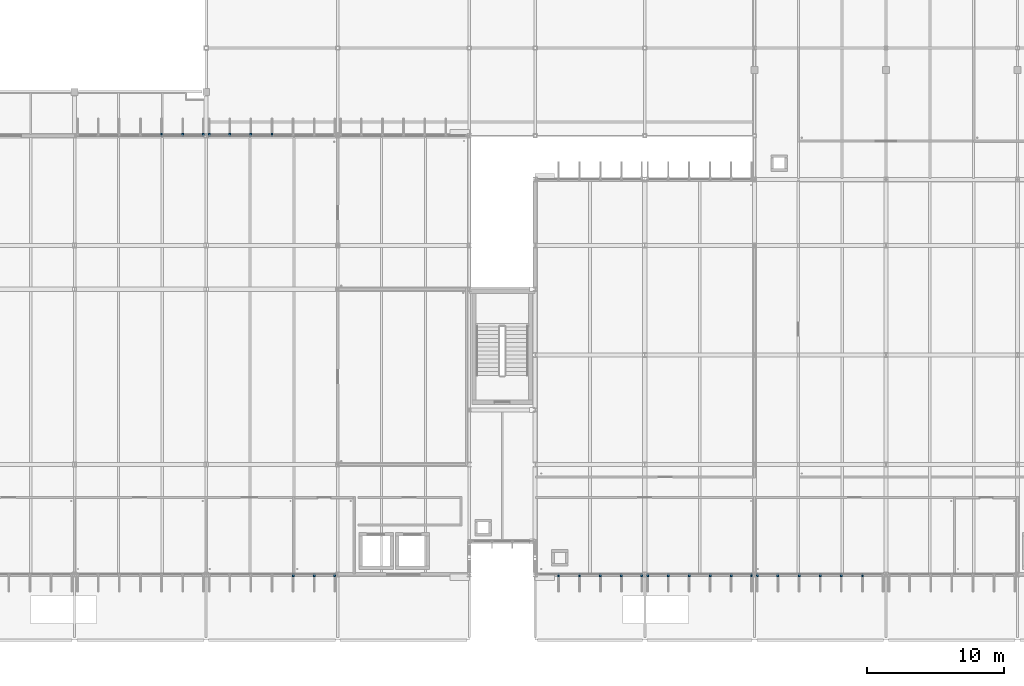
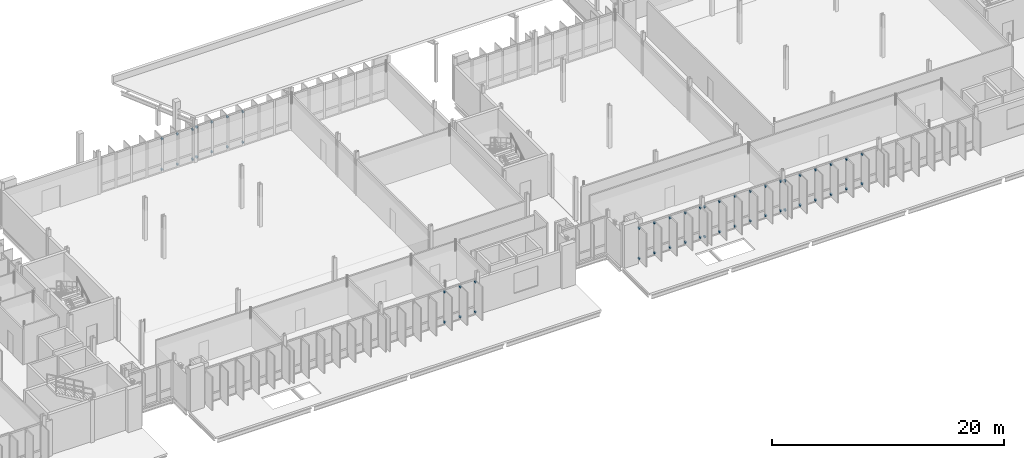
# One storey, part 93 of 107: 54 discrete accessories.
"""IFC4 building model written with IfcOpenShell, lengths in metres."""

from ifc_helpers import new_model, si_unit, direction, frame, origin, origin_2d, place, context, subcontext, project, spatial, rectangle, extrude, material, type_object, element, save


model = new_model("IFC4")

# Units and contexts
model_context = context("Model", 3, precision=1e-05, world=origin(), true_north=direction((0.0, 1.0)))
body_context = subcontext(model_context, "Body", "Model", "MODEL_VIEW")
ifc_project = project(units=[si_unit("LENGTHUNIT", "METRE"), si_unit("AREAUNIT", "SQUARE_METRE"), si_unit("VOLUMEUNIT", "CUBIC_METRE"), si_unit("PLANEANGLEUNIT", "RADIAN"), si_unit("MASSUNIT", "GRAM", prefix="KILO")], contexts=[model_context])

# Site, building, storey
site_placement = place(None, origin())
site = spatial("IfcSite", under=ifc_project, at=site_placement, CompositionType="ELEMENT")
building_placement = place(site_placement, origin())
building = spatial("IfcBuilding", under=site, at=building_placement, Name="Dunescarp Central Library", CompositionType="ELEMENT")
storey_placement = place(building_placement, frame((0.0, 0.0, 5.10009765625)))
storey = spatial("IfcBuildingStorey", under=building, at=storey_placement, Name="L01", CompositionType="ELEMENT", Elevation=5.10009765625)

# Discrete accessories
ifc_material = material(Name="Stainless steel Grade 316L", Category="steel")
discrete_accessory_type = type_object("IfcDiscreteAccessoryType", Name="ARC-ACC-BRK", PredefinedType="BRACKET", material=ifc_material)
for number, where, z_axis, x_axis, name in (
    (1, (66.985107421875, 4.719970703125, 0.27685546875), (0.0, 0.0, 1.0), (0.0, -1.0, 0.0), "Fin bracket BRK-FIN-L01-0351-B"),
    (2, (66.985107421875, 4.719970703125, 3.43505859375), (0.0, 0.0, 1.0), (0.0, -1.0, 0.0), "Fin bracket BRK-FIN-L01-0351-T"),
    (3, (65.48291015625, 4.719970703125, 0.2900390625), (0.0, 0.0, 1.0), (0.0, -1.0, 0.0), "Fin bracket BRK-FIN-L01-0352-B"),
    (4, (65.48291015625, 4.719970703125, 3.43505859375), (0.0, 0.0, 1.0), (0.0, -1.0, 0.0), "Fin bracket BRK-FIN-L01-0352-T"),
    (5, (63.94189453125, 4.719970703125, 0.27392578125), (0.0, 0.0, 1.0), (0.0, -1.0, 0.0), "Fin bracket BRK-FIN-L01-0353-B"),
    (6, (63.94189453125, 4.719970703125, 3.43505859375), (0.0, 0.0, 1.0), (0.0, -1.0, 0.0), "Fin bracket BRK-FIN-L01-0353-T"),
    (7, (54.342041015625, 36.8798828125, 0.18994140625), (0.0, 0.0, 1.0), (0.0, 1.0, 0.0), "Fin bracket BRK-FIN-L01-0362-B"),
    (8, (54.342041015625, 36.8798828125, 3.423828125), (0.0, 0.0, 1.0), (0.0, 1.0, 0.0), "Fin bracket BRK-FIN-L01-0362-T"),
    (9, (55.883056640625, 36.8798828125, 0.18994140625), (0.0, 0.0, 1.0), (0.0, 1.0, 0.0), "Fin bracket BRK-FIN-L01-0363-B"),
    (10, (55.883056640625, 36.8798828125, 3.3740234375), (0.0, 0.0, 1.0), (0.0, 1.0, 0.0), "Fin bracket BRK-FIN-L01-0363-T"),
    (11, (57.385009765625, 36.8798828125, 0.18994140625), (0.0, 0.0, 1.0), (0.0, 1.0, 0.0), "Fin bracket BRK-FIN-L01-0364-B"),
    (12, (57.385009765625, 36.8798828125, 3.3408203125), (0.0, 0.0, 1.0), (0.0, 1.0, 0.0), "Fin bracket BRK-FIN-L01-0364-T"),
    (13, (57.81494140625, 36.8798828125, 0.27685546875), (0.0, 0.0, 1.0), (0.0, 1.0, 0.0), "Fin bracket BRK-FIN-L01-0365-B"),
    (14, (57.81494140625, 36.8798828125, 3.43505859375), (0.0, 0.0, 1.0), (0.0, 1.0, 0.0), "Fin bracket BRK-FIN-L01-0365-T"),
    (15, (59.31689453125, 36.8798828125, 0.2900390625), (0.0, 0.0, 1.0), (0.0, 1.0, 0.0), "Fin bracket BRK-FIN-L01-0366-B"),
    (16, (59.31689453125, 36.8798828125, 3.43505859375), (0.0, 0.0, 1.0), (0.0, 1.0, 0.0), "Fin bracket BRK-FIN-L01-0366-T"),
    (17, (60.85791015625, 36.8798828125, 0.27392578125), (0.0, 0.0, 1.0), (0.0, 1.0, 0.0), "Fin bracket BRK-FIN-L01-0367-B"),
    (18, (60.85791015625, 36.8798828125, 3.43505859375), (0.0, 0.0, 1.0), (0.0, 1.0, 0.0), "Fin bracket BRK-FIN-L01-0367-T"),
    (19, (62.39990234375, 36.8798828125, 0.23291015625), (0.0, 0.0, 1.0), (0.0, 1.0, 0.0), "Fin bracket BRK-FIN-L01-0368-B"),
    (20, (62.39990234375, 36.8798828125, 3.43505859375), (0.0, 0.0, 1.0), (0.0, 1.0, 0.0), "Fin bracket BRK-FIN-L01-0368-T"),
    (21, (89.385009765625, 4.719970703125, 0.27685546875), (0.0, 0.0, 1.0), (0.0, -1.0, 0.0), "Fin bracket BRK-FIN-L01-0580-B"),
    (22, (89.385009765625, 4.719970703125, 3.384765625), (0.0, 0.0, 1.0), (0.0, -1.0, 0.0), "Fin bracket BRK-FIN-L01-0580-T"),
    (23, (87.89501953125, 4.719970703125, 0.2900390625), (0.0, 0.0, 1.0), (0.0, -1.0, 0.0), "Fin bracket BRK-FIN-L01-0581-B"),
    (24, (87.89501953125, 4.719970703125, 3.384765625), (0.0, 0.0, 1.0), (0.0, -1.0, 0.0), "Fin bracket BRK-FIN-L01-0581-T"),
    (25, (86.364990234375, 4.719970703125, 0.27392578125), (0.0, 0.0, 1.0), (0.0, -1.0, 0.0), "Fin bracket BRK-FIN-L01-0582-B"),
    (26, (86.364990234375, 4.719970703125, 3.384765625), (0.0, 0.0, 1.0), (0.0, -1.0, 0.0), "Fin bracket BRK-FIN-L01-0582-T"),
    (27, (84.8349609375, 4.719970703125, 0.23291015625), (0.0, 0.0, 1.0), (0.0, -1.0, 0.0), "Fin bracket BRK-FIN-L01-0583-B"),
    (28, (84.8349609375, 4.719970703125, 3.384765625), (0.0, 0.0, 1.0), (0.0, -1.0, 0.0), "Fin bracket BRK-FIN-L01-0583-T"),
    (29, (83.304931640625, 4.719970703125, 0.18994140625), (0.0, 0.0, 1.0), (0.0, -1.0, 0.0), "Fin bracket BRK-FIN-L01-0584-B"),
    (30, (83.304931640625, 4.719970703125, 3.3740234375), (0.0, 0.0, 1.0), (0.0, -1.0, 0.0), "Fin bracket BRK-FIN-L01-0584-T"),
    (31, (97.385009765625, 4.719970703125, 0.27685546875), (0.0, 0.0, 1.0), (0.0, -1.0, 0.0), "Fin bracket BRK-FIN-L01-0585-B"),
    (32, (97.385009765625, 4.719970703125, 3.384765625), (0.0, 0.0, 1.0), (0.0, -1.0, 0.0), "Fin bracket BRK-FIN-L01-0585-T"),
    (33, (95.89501953125, 4.719970703125, 0.2900390625), (0.0, 0.0, 1.0), (0.0, -1.0, 0.0), "Fin bracket BRK-FIN-L01-0586-B"),
    (34, (95.89501953125, 4.719970703125, 3.384765625), (0.0, 0.0, 1.0), (0.0, -1.0, 0.0), "Fin bracket BRK-FIN-L01-0586-T"),
    (35, (94.364990234375, 4.719970703125, 0.27392578125), (0.0, 0.0, 1.0), (0.0, -1.0, 0.0), "Fin bracket BRK-FIN-L01-0587-B"),
    (36, (94.364990234375, 4.719970703125, 3.384765625), (0.0, 0.0, 1.0), (0.0, -1.0, 0.0), "Fin bracket BRK-FIN-L01-0587-T"),
    (37, (92.8349609375, 4.719970703125, 0.23291015625), (0.0, 0.0, 1.0), (0.0, -1.0, 0.0), "Fin bracket BRK-FIN-L01-0588-B"),
    (38, (92.8349609375, 4.719970703125, 3.384765625), (0.0, 0.0, 1.0), (0.0, -1.0, 0.0), "Fin bracket BRK-FIN-L01-0588-T"),
    (39, (91.304931640625, 4.719970703125, 0.18994140625), (0.0, 0.0, 1.0), (0.0, -1.0, 0.0), "Fin bracket BRK-FIN-L01-0589-B"),
    (40, (91.304931640625, 4.719970703125, 3.3740234375), (0.0, 0.0, 1.0), (0.0, -1.0, 0.0), "Fin bracket BRK-FIN-L01-0589-T"),
    (41, (89.81494140625, 4.719970703125, 0.18994140625), (0.0, 0.0, 1.0), (0.0, -1.0, 0.0), "Fin bracket BRK-FIN-L01-0590-B"),
    (42, (89.81494140625, 4.719970703125, 3.32373046875), (0.0, 0.0, 1.0), (0.0, -1.0, 0.0), "Fin bracket BRK-FIN-L01-0590-T"),
    (43, (105.48291015625, 4.719970703125, 0.2900390625), (0.0, 0.0, 1.0), (0.0, -1.0, 0.0), "Fin bracket BRK-FIN-L01-0592-B"),
    (44, (105.48291015625, 4.719970703125, 3.384765625), (0.0, 0.0, 1.0), (0.0, -1.0, 0.0), "Fin bracket BRK-FIN-L01-0592-T"),
    (45, (103.94189453125, 4.719970703125, 0.27392578125), (0.0, 0.0, 1.0), (0.0, -1.0, 0.0), "Fin bracket BRK-FIN-L01-0593-B"),
    (46, (103.94189453125, 4.719970703125, 3.384765625), (0.0, 0.0, 1.0), (0.0, -1.0, 0.0), "Fin bracket BRK-FIN-L01-0593-T"),
    (47, (102.39990234375, 4.719970703125, 0.23291015625), (0.0, 0.0, 1.0), (0.0, -1.0, 0.0), "Fin bracket BRK-FIN-L01-0594-B"),
    (48, (102.39990234375, 4.719970703125, 3.384765625), (0.0, 0.0, 1.0), (0.0, -1.0, 0.0), "Fin bracket BRK-FIN-L01-0594-T"),
    (49, (100.85791015625, 4.719970703125, 0.18994140625), (0.0, 0.0, 1.0), (0.0, -1.0, 0.0), "Fin bracket BRK-FIN-L01-0595-B"),
    (50, (100.85791015625, 4.719970703125, 3.3740234375), (0.0, 0.0, 1.0), (0.0, -1.0, 0.0), "Fin bracket BRK-FIN-L01-0595-T"),
    (51, (99.31689453125, 4.719970703125, 0.18994140625), (0.0, 0.0, 1.0), (0.0, -1.0, 0.0), "Fin bracket BRK-FIN-L01-0596-B"),
    (52, (99.31689453125, 4.719970703125, 3.32373046875), (0.0, 0.0, 1.0), (0.0, -1.0, 0.0), "Fin bracket BRK-FIN-L01-0596-T"),
    (53, (97.81494140625, 4.719970703125, 0.18994140625), (0.0, 0.0, 1.0), (0.0, -1.0, 0.0), "Fin bracket BRK-FIN-L01-0597-B"),
    (54, (97.81494140625, 4.719970703125, 3.291015625), (0.0, 0.0, 1.0), (0.0, -1.0, 0.0), "Fin bracket BRK-FIN-L01-0597-T"),
):
    element("IfcDiscreteAccessory", number, at=place(storey_placement, frame(where, z_axis=z_axis, x_axis=x_axis)), inside=storey, type_object=discrete_accessory_type, Name=name, PredefinedType="BRACKET", context=body_context, shape_type="SweptSolid", body=[
        extrude(rectangle(XDim=0.219970703125, YDim=0.139892578125, at=origin_2d()), origin(), (0.0, 0.0, 1.0), 0.139892578125),
    ])

save(model, "model.ifc")
